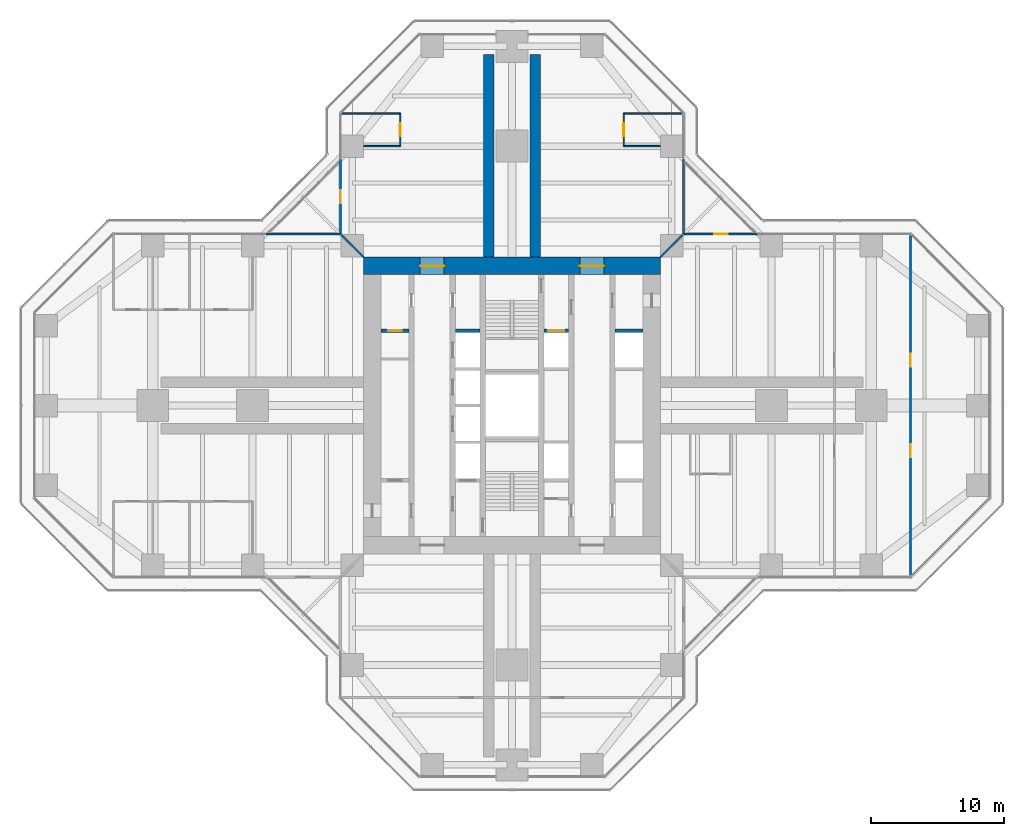
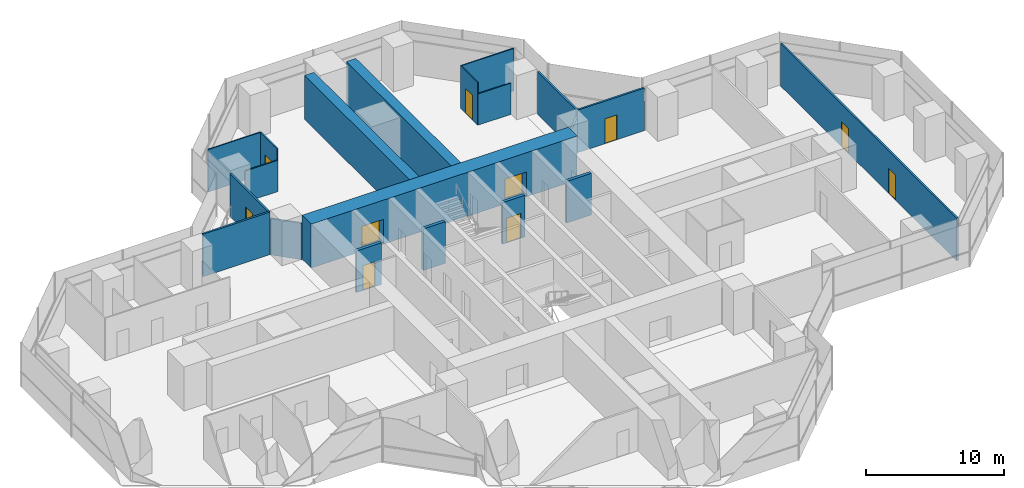
# One storey, part 17 of 20: 20 walls, 10 doors, 10 openings.
"""IFC4 building model written with IfcOpenShell, lengths in metres."""

from ifc_helpers import new_model, si_unit, direction, frame, frame_2d, origin, place, context, subcontext, project, spatial, rectangle, extrude, material, layer, layer_set, type_object, element, fill, save


model = new_model("IFC4")

# Units and contexts
model_context = context("Model", 3, precision=1e-05, world=origin(), true_north=direction((0.0, 1.0)))
body_context = subcontext(model_context, "Body", "Model", "MODEL_VIEW")
ifc_project = project(units=[si_unit("LENGTHUNIT", "METRE"), si_unit("AREAUNIT", "SQUARE_METRE"), si_unit("VOLUMEUNIT", "CUBIC_METRE"), si_unit("PLANEANGLEUNIT", "RADIAN"), si_unit("MASSUNIT", "GRAM", prefix="KILO")], contexts=[model_context])

# Site, building, storey
site_placement = place(None, origin())
site = spatial("IfcSite", under=ifc_project, at=site_placement, CompositionType="ELEMENT")
building_placement = place(site_placement, origin())
building = spatial("IfcBuilding", under=site, at=building_placement, Name="Mizan Broadcast Tower", CompositionType="ELEMENT")
storey_placement = place(building_placement, frame((0.0, 0.0, 178.800048828125)))
storey = spatial("IfcBuildingStorey", under=building, at=storey_placement, Name="L41", CompositionType="ELEMENT", Elevation=178.800048828125)

# Wall, openings, doors
ifc_material_1 = material(Name="Concrete C70/85", Category="concrete")
ifc_layer_1 = layer(ifc_material_1, 1.300048828125)
ifc_layer_set_1 = layer_set([ifc_layer_1], Name="Concrete C70/85")
wall_type_1 = type_object("IfcWallType", Name="CORE WALL 1300", PredefinedType="SHEAR", material=ifc_layer_set_1)
wall_1_placement = place(storey_placement, frame((-11.14990234375, 10.5, 0.0), z_axis=(0.0, 0.0, 1.0), x_axis=(1.0, 0.0, 0.0)))
wall_1 = element("IfcWall", 1, at=wall_1_placement, inside=storey, type_object=wall_type_1, Name="Core wall N L41", PredefinedType="SHEAR", context=body_context, shape_type="SweptSolid", body=[
    extrude(rectangle(XDim=22.2998046875, YDim=1.300048828125, at=frame_2d((11.14990234375, 0.0))), origin(), (0.0, 0.0, 1.0), 3.89990234375),
])
opening_1_placement = place(wall_1_placement, frame((4.25, 0.0, 0.0)))
opening_1 = element("IfcOpeningElement", 2, at=opening_1_placement, cuts=wall_1, Name="Opening D18F", PredefinedType="OPENING", context=body_context, shape_type="SweptSolid", body=[
    extrude(rectangle(XDim=1.800048828125, YDim=2.199951171875, at=frame_2d((0.89990234375, 1.10009765625))), frame((0.0, 0.659912109375, 0.0), z_axis=(0.0, -1.0, 0.0), x_axis=(1.0, 0.0, 0.0)), (0.0, 0.0, 1.0), 1.320068359375),
])
opening_2_placement = place(wall_1_placement, frame((16.25, 0.0, 0.0)))
opening_2 = element("IfcOpeningElement", 3, at=opening_2_placement, cuts=wall_1, Name="Opening D18F", PredefinedType="OPENING", context=body_context, shape_type="SweptSolid", body=[
    extrude(rectangle(XDim=1.800048828125, YDim=2.199951171875, at=frame_2d((0.89990234375, 1.10009765625))), frame((0.0, 0.659912109375, 0.0), z_axis=(0.0, -1.0, 0.0), x_axis=(1.0, 0.0, 0.0)), (0.0, 0.0, 1.0), 1.320068359375),
])
ifc_material_2 = material(Name="Steel door leaf in steel frame", Category="steel")
door_type_1 = type_object("IfcDoorType", Name="LOBBY DOUBLE DOOR 1800 FD90", OperationType="DOUBLE_DOOR_DOUBLE_SWING", PredefinedType="DOOR", material=ifc_material_2)
door_1_placement = place(opening_1_placement, origin())
door_1 = element("IfcDoor", 4, at=door_1_placement, inside=storey, type_object=door_type_1, Name="West lift lobby north door", OperationType="DOUBLE_DOOR_DOUBLE_SWING", OverallHeight=2.199951171875, OverallWidth=1.800048828125, PredefinedType="DOOR", context=body_context, shape_type="SweptSolid", body=[
    extrude(rectangle(XDim=1.800048828125, YDim=2.199951171875, at=frame_2d((0.89990234375, 1.10009765625))), frame((0.0, 0.02490234375, 0.0), z_axis=(0.0, -1.0, 0.0), x_axis=(1.0, 0.0, 0.0)), (0.0, 0.0, 1.0), 0.050048828125),
])
fill(opening_1, door_1)
door_2_placement = place(opening_2_placement, origin())
door_2 = element("IfcDoor", 5, at=door_2_placement, inside=storey, type_object=door_type_1, Name="East lift lobby north door", OperationType="DOUBLE_DOOR_DOUBLE_SWING", OverallHeight=2.199951171875, OverallWidth=1.800048828125, PredefinedType="DOOR", context=body_context, shape_type="SweptSolid", body=[
    extrude(rectangle(XDim=1.800048828125, YDim=2.199951171875, at=frame_2d((0.89990234375, 1.10009765625))), frame((0.0, 0.02490234375, 0.0), z_axis=(0.0, -1.0, 0.0), x_axis=(1.0, 0.0, 0.0)), (0.0, 0.0, 1.0), 0.050048828125),
])
fill(opening_2, door_2)

# Wall, opening, door
ifc_material_3 = material(Name="Aluminium framed glazed screen", Category="aluminium")
ifc_layer_2 = layer(ifc_material_3, 0.159912109375)
ifc_layer_set_2 = layer_set([ifc_layer_2], Name="Aluminium framed glazed screen")
wall_type_2 = type_object("IfcWallType", Name="GLAZED SCREEN WALL 160", PredefinedType="SOLIDWALL", material=ifc_layer_set_2)
wall_2_placement = place(storey_placement, frame((18.5, 12.89990234375, 0.0), z_axis=(0.0, 0.0, 1.0), x_axis=(-1.0, 0.0, 0.0)))
wall_2 = element("IfcWall", 6, at=wall_2_placement, inside=storey, type_object=wall_type_2, Name="Winter garden screen L41 E", PredefinedType="SOLIDWALL", context=body_context, shape_type="SweptSolid", body=[
    extrude(rectangle(XDim=5.60009765625, YDim=0.159912109375, at=frame_2d((2.800048828125, 0.0))), origin(), (0.0, 0.0, 1.0), 3.77001953125),
])
opening_3_placement = place(wall_2_placement, frame((2.300048828125, 0.0, 0.0)))
opening_3 = element("IfcOpeningElement", 7, at=opening_3_placement, cuts=wall_2, Name="Opening WGD", PredefinedType="OPENING", context=body_context, shape_type="SweptSolid", body=[
    extrude(rectangle(XDim=1.0, YDim=2.199951171875, at=frame_2d((0.5, 1.10009765625))), frame((0.0, 0.08984375, 0.0), z_axis=(0.0, -1.0, 0.0), x_axis=(1.0, 0.0, 0.0)), (0.0, 0.0, 1.0), 0.179931640625),
])
ifc_material_4 = material(Name="Aluminium framed glazed door", Category="aluminium")
door_type_2 = type_object("IfcDoorType", Name="WINTER GARDEN DOOR 1000 GLAZED", OperationType="SINGLE_SWING_LEFT", PredefinedType="DOOR", material=ifc_material_4)
door_3_placement = place(opening_3_placement, origin())
door_3 = element("IfcDoor", 8, at=door_3_placement, inside=storey, type_object=door_type_2, Name="Winter garden door L41 E", OperationType="SINGLE_SWING_RIGHT", OverallHeight=2.199951171875, OverallWidth=1.0, PredefinedType="DOOR", context=body_context, shape_type="SweptSolid", body=[
    extrude(rectangle(XDim=1.0, YDim=2.199951171875, at=frame_2d((0.5, 1.10009765625))), frame((0.0, 0.02490234375, 0.0), z_axis=(0.0, -1.0, 0.0), x_axis=(1.0, 0.0, 0.0)), (0.0, 0.0, 1.0), 0.050048828125),
])
fill(opening_3, door_3)

# Wall
wall_3_placement = place(storey_placement, frame((12.89990234375, 12.89990234375, 0.0), z_axis=(0.0, 0.0, 1.0), x_axis=(0.0, 1.0, 0.0)))
element("IfcWall", 9, at=wall_3_placement, inside=storey, type_object=wall_type_2, Name="Winter garden screen L41 N", PredefinedType="SOLIDWALL", context=body_context, shape_type="SweptSolid", body=[
    extrude(rectangle(XDim=5.60009765625, YDim=0.159912109375, at=frame_2d((2.800048828125, 0.0))), origin(), (0.0, 0.0, 1.0), 3.77001953125),
])

# Wall, opening, door
wall_4_placement = place(storey_placement, frame((-12.89990234375, 18.5, 0.0), z_axis=(0.0, 0.0, 1.0), x_axis=(0.0, -1.0, 0.0)))
wall_4 = element("IfcWall", 10, at=wall_4_placement, inside=storey, type_object=wall_type_2, Name="Winter garden screen L41 N", PredefinedType="SOLIDWALL", context=body_context, shape_type="SweptSolid", body=[
    extrude(rectangle(XDim=5.60009765625, YDim=0.159912109375, at=frame_2d((2.800048828125, 0.0))), origin(), (0.0, 0.0, 1.0), 3.77001953125),
])
opening_4_placement = place(wall_4_placement, frame((2.300048828125, 0.0, 0.0)))
opening_4 = element("IfcOpeningElement", 11, at=opening_4_placement, cuts=wall_4, Name="Opening WGD", PredefinedType="OPENING", context=body_context, shape_type="SweptSolid", body=[
    extrude(rectangle(XDim=1.0, YDim=2.199951171875, at=frame_2d((0.5, 1.10009765625))), frame((0.0, 0.08984375, 0.0), z_axis=(0.0, -1.0, 0.0), x_axis=(1.0, 0.0, 0.0)), (0.0, 0.0, 1.0), 0.179931640625),
])
door_4_placement = place(opening_4_placement, origin())
door_4 = element("IfcDoor", 12, at=door_4_placement, inside=storey, type_object=door_type_2, Name="Winter garden door L41 N", OperationType="SINGLE_SWING_RIGHT", OverallHeight=2.199951171875, OverallWidth=1.0, PredefinedType="DOOR", context=body_context, shape_type="SweptSolid", body=[
    extrude(rectangle(XDim=1.0, YDim=2.199951171875, at=frame_2d((0.5, 1.10009765625))), frame((0.0, 0.02490234375, 0.0), z_axis=(0.0, -1.0, 0.0), x_axis=(1.0, 0.0, 0.0)), (0.0, 0.0, 1.0), 0.050048828125),
])
fill(opening_4, door_4)

# Wall
wall_5_placement = place(storey_placement, frame((-12.89990234375, 12.89990234375, 0.0), z_axis=(0.0, 0.0, 1.0), x_axis=(-1.0, 0.0, 0.0)))
element("IfcWall", 13, at=wall_5_placement, inside=storey, type_object=wall_type_2, Name="Winter garden screen L41 W", PredefinedType="SOLIDWALL", context=body_context, shape_type="SweptSolid", body=[
    extrude(rectangle(XDim=5.60009765625, YDim=0.159912109375, at=frame_2d((2.800048828125, 0.0))), origin(), (0.0, 0.0, 1.0), 3.77001953125),
])

# Wall, opening, door
ifc_material_5 = material(Name="Concrete blockwork", Category="masonry")
ifc_layer_3 = layer(ifc_material_5, 0.25)
ifc_layer_set_3 = layer_set([ifc_layer_3], Name="Concrete blockwork")
wall_type_3 = type_object("IfcWallType", Name="LOBBY ENCLOSURE WALL 250", PredefinedType="SOLIDWALL", material=ifc_layer_set_3)
wall_6_placement = place(storey_placement, frame((-9.85009765625, 5.625, 0.0), z_axis=(0.0, 0.0, 1.0), x_axis=(1.0, 0.0, 0.0)))
wall_6 = element("IfcWall", 14, at=wall_6_placement, inside=storey, type_object=wall_type_3, Name="Lobby enclosure wall CORE/BW1N", PredefinedType="SOLIDWALL", context=body_context, shape_type="SweptSolid", body=[
    extrude(rectangle(XDim=2.10009765625, YDim=0.25, at=frame_2d((1.050048828125, 0.0))), origin(), (0.0, 0.0, 1.0), 3.699951171875),
])
opening_5_placement = place(wall_6_placement, frame((0.550048828125, 0.0, 0.0)))
opening_5 = element("IfcOpeningElement", 15, at=opening_5_placement, cuts=wall_6, Name="Opening D10F", PredefinedType="OPENING", context=body_context, shape_type="SweptSolid", body=[
    extrude(rectangle(XDim=1.0, YDim=2.199951171875, at=frame_2d((0.5, 1.10009765625))), frame((0.0, 0.135009765625, 0.0), z_axis=(0.0, -1.0, 0.0), x_axis=(1.0, 0.0, 0.0)), (0.0, 0.0, 1.0), 0.27001953125),
])
ifc_material_6 = material(Name="Steel door leaf in steel frame", Category="steel")
door_type_3 = type_object("IfcDoorType", Name="FIRE DOOR 1000 FD90", OperationType="SINGLE_SWING_LEFT", PredefinedType="DOOR", material=ifc_material_6)
door_5_placement = place(opening_5_placement, origin())
door_5 = element("IfcDoor", 16, at=door_5_placement, inside=storey, type_object=door_type_3, Name="Male staff shower room door", OperationType="SINGLE_SWING_RIGHT", OverallHeight=2.199951171875, OverallWidth=1.0, PredefinedType="DOOR", context=body_context, shape_type="SweptSolid", body=[
    extrude(rectangle(XDim=1.0, YDim=2.199951171875, at=frame_2d((0.5, 1.10009765625))), frame((0.0, 0.02490234375, 0.0), z_axis=(0.0, -1.0, 0.0), x_axis=(1.0, 0.0, 0.0)), (0.0, 0.0, 1.0), 0.050048828125),
])
fill(opening_5, door_5)

# Wall
wall_7_placement = place(storey_placement, frame((-4.25, 5.625, 0.0), z_axis=(0.0, 0.0, 1.0), x_axis=(1.0, 0.0, 0.0)))
element("IfcWall", 17, at=wall_7_placement, inside=storey, type_object=wall_type_3, Name="Lobby enclosure wall CORE/BW2N", PredefinedType="SOLIDWALL", context=body_context, shape_type="SweptSolid", body=[
    extrude(rectangle(XDim=1.85009765625, YDim=0.25, at=frame_2d((0.925048828125, 0.0))), origin(), (0.0, 0.0, 1.0), 3.699951171875),
])

# Wall, opening, door
wall_8_placement = place(storey_placement, frame((2.39990234375, 5.625, 0.0), z_axis=(0.0, 0.0, 1.0), x_axis=(1.0, 0.0, 0.0)))
wall_8 = element("IfcWall", 18, at=wall_8_placement, inside=storey, type_object=wall_type_3, Name="Lobby enclosure wall CORE/BE2N", PredefinedType="SOLIDWALL", context=body_context, shape_type="SweptSolid", body=[
    extrude(rectangle(XDim=1.85009765625, YDim=0.25, at=frame_2d((0.925048828125, 0.0))), origin(), (0.0, 0.0, 1.0), 3.699951171875),
])
opening_6_placement = place(wall_8_placement, frame((0.324951171875, 0.0, 0.0)))
opening_6 = element("IfcOpeningElement", 19, at=opening_6_placement, cuts=wall_8, Name="Opening LDF", PredefinedType="OPENING", context=body_context, shape_type="SweptSolid", body=[
    extrude(rectangle(XDim=1.199951171875, YDim=2.199951171875, at=frame_2d((0.60009765625, 1.10009765625))), frame((0.0, 0.135009765625, 0.0), z_axis=(0.0, -1.0, 0.0), x_axis=(1.0, 0.0, 0.0)), (0.0, 0.0, 1.0), 0.27001953125),
])
ifc_material_7 = material(Name="Steel door leaf in steel frame", Category="steel")
door_type_4 = type_object("IfcDoorType", Name="FIREFIGHTING LIFT LANDING DOOR 1200", OperationType="SLIDING_TO_LEFT", PredefinedType="DOOR", material=ifc_material_7)
door_6_placement = place(opening_6_placement, origin())
door_6 = element("IfcDoor", 20, at=door_6_placement, inside=storey, type_object=door_type_4, Name="Landing door FF2", OperationType="SLIDING_TO_LEFT", OverallHeight=2.199951171875, OverallWidth=1.199951171875, PredefinedType="DOOR", context=body_context, shape_type="SweptSolid", body=[
    extrude(rectangle(XDim=1.199951171875, YDim=2.199951171875, at=frame_2d((0.60009765625, 1.10009765625))), frame((0.0, 0.02490234375, 0.0), z_axis=(0.0, -1.0, 0.0), x_axis=(1.0, 0.0, 0.0)), (0.0, 0.0, 1.0), 0.050048828125),
])
fill(opening_6, door_6)

# Wall
wall_9_placement = place(storey_placement, frame((7.75, 5.625, 0.0), z_axis=(0.0, 0.0, 1.0), x_axis=(1.0, 0.0, 0.0)))
element("IfcWall", 21, at=wall_9_placement, inside=storey, type_object=wall_type_3, Name="Lobby enclosure wall CORE/BE1N", PredefinedType="SOLIDWALL", context=body_context, shape_type="SweptSolid", body=[
    extrude(rectangle(XDim=2.10009765625, YDim=0.25, at=frame_2d((1.050048828125, 0.0))), origin(), (0.0, 0.0, 1.0), 3.699951171875),
])

# Wall, openings, doors
ifc_material_8 = material(Name="Gypsum board on steel studs", Category="steel")
ifc_layer_4 = layer(ifc_material_8, 0.14990234375)
ifc_layer_set_4 = layer_set([ifc_layer_4], Name="Gypsum board on steel studs")
wall_type_4 = type_object("IfcWallType", Name="PARTITION 150", PredefinedType="PARTITIONING", material=ifc_layer_set_4)
wall_10_placement = place(storey_placement, frame((29.958984375, -12.786376953125, 0.0), z_axis=(0.0, 0.0, 1.0), x_axis=(0.0, 1.0, 0.0)))
wall_10 = element("IfcWall", 22, at=wall_10_placement, inside=storey, type_object=wall_type_4, Name="Partition PT/EX2", PredefinedType="PARTITIONING", context=body_context, shape_type="SweptSolid", body=[
    extrude(rectangle(XDim=25.57275390625, YDim=0.14990234375, at=frame_2d((12.786376953125, 0.0))), origin(), (0.0, 0.0, 1.0), 3.77001953125),
])
opening_7_placement = place(wall_10_placement, frame((15.6865234375, 0.0, 0.0)))
opening_7 = element("IfcOpeningElement", 23, at=opening_7_placement, cuts=wall_10, Name="Opening D10", PredefinedType="OPENING", context=body_context, shape_type="SweptSolid", body=[
    extrude(rectangle(XDim=1.0, YDim=2.199951171875, at=frame_2d((0.5, 1.10009765625))), frame((0.0, 0.0849609375, 0.0), z_axis=(0.0, -1.0, 0.0), x_axis=(1.0, 0.0, 0.0)), (0.0, 0.0, 1.0), 0.169921875),
])
opening_8_placement = place(wall_10_placement, frame((8.886474609375, 0.0, 0.0)))
opening_8 = element("IfcOpeningElement", 24, at=opening_8_placement, cuts=wall_10, Name="Opening D10", PredefinedType="OPENING", context=body_context, shape_type="SweptSolid", body=[
    extrude(rectangle(XDim=1.0, YDim=2.199951171875, at=frame_2d((0.5, 1.10009765625))), frame((0.0, 0.0849609375, 0.0), z_axis=(0.0, -1.0, 0.0), x_axis=(1.0, 0.0, 0.0)), (0.0, 0.0, 1.0), 0.169921875),
])
ifc_material_9 = material(Name="Timber door leaf in aluminium frame", Category="wood")
door_type_5 = type_object("IfcDoorType", Name="ROOM DOOR 1000", OperationType="SINGLE_SWING_LEFT", PredefinedType="DOOR", material=ifc_material_9)
door_7_placement = place(opening_7_placement, origin())
door_7 = element("IfcDoor", 25, at=door_7_placement, inside=storey, type_object=door_type_5, Name="Open office door", OperationType="SINGLE_SWING_RIGHT", OverallHeight=2.199951171875, OverallWidth=1.0, PredefinedType="DOOR", context=body_context, shape_type="SweptSolid", body=[
    extrude(rectangle(XDim=1.0, YDim=2.199951171875, at=frame_2d((0.5, 1.10009765625))), frame((0.0, 0.02490234375, 0.0), z_axis=(0.0, -1.0, 0.0), x_axis=(1.0, 0.0, 0.0)), (0.0, 0.0, 1.0), 0.050048828125),
])
fill(opening_7, door_7)
door_8_placement = place(opening_8_placement, origin())
door_8 = element("IfcDoor", 26, at=door_8_placement, inside=storey, type_object=door_type_5, Name="Open office door", OperationType="SINGLE_SWING_LEFT", OverallHeight=2.199951171875, OverallWidth=1.0, PredefinedType="DOOR", context=body_context, shape_type="SweptSolid", body=[
    extrude(rectangle(XDim=1.0, YDim=2.199951171875, at=frame_2d((0.5, 1.10009765625))), frame((0.0, 0.02490234375, 0.0), z_axis=(0.0, -1.0, 0.0), x_axis=(1.0, 0.0, 0.0)), (0.0, 0.0, 1.0), 0.050048828125),
])
fill(opening_8, door_8)

# Walls
for number, where, z_axis, x_axis, name in (
    (27, (11.14990234375, 11.14990234375, 0.0), (0.0, 0.0, 1.0), (0.707106781187, 0.707106781187, 0.0), "Partition PT/DGEN"),
    (28, (-11.14990234375, 11.14990234375, 0.0), (0.0, 0.0, 1.0), (-0.707106781187, 0.707106781187, 0.0), "Partition PT/DGWN"),
):
    element("IfcWall", number, at=place(storey_placement, frame(where, z_axis=z_axis, x_axis=x_axis)), inside=storey, type_object=wall_type_4, Name=name, PredefinedType="PARTITIONING", context=body_context, shape_type="SweptSolid", body=[
        extrude(rectangle(XDim=2.362060546875, YDim=0.14990234375, at=frame_2d((1.18115234375, 0.0))), origin(), (0.0, 0.0, 1.0), 3.219970703125),
    ])

# Wall, opening, door
ifc_material_10 = material(Name="Glazed aluminium partition on aluminium track", Category="aluminium")
ifc_layer_5 = layer(ifc_material_10, 0.10009765625)
ifc_layer_set_5 = layer_set([ifc_layer_5], Name="Glazed aluminium partition on aluminium track")
wall_type_5 = type_object("IfcWallType", Name="PARTITION GLAZED OFFICE FRONT 100", PredefinedType="PARTITIONING", material=ifc_layer_set_5)
wall_11_placement = place(storey_placement, frame((-8.39990234375, 19.5, 0.0), z_axis=(0.0, 0.0, 1.0), x_axis=(0.0, 1.0, 0.0)))
wall_11 = element("IfcWall", 29, at=wall_11_placement, inside=storey, type_object=wall_type_5, Name="Glazed office front PT/NCP0", PredefinedType="PARTITIONING", context=body_context, shape_type="SweptSolid", body=[
    extrude(rectangle(XDim=2.458984375, YDim=0.10009765625, at=frame_2d((1.2294921875, 0.0))), origin(), (0.0, 0.0, 1.0), 3.77001953125),
])
opening_9_placement = place(wall_11_placement, frame((0.7294921875, 0.0, 0.0)))
opening_9 = element("IfcOpeningElement", 30, at=opening_9_placement, cuts=wall_11, Name="Opening D10O", PredefinedType="OPENING", context=body_context, shape_type="SweptSolid", body=[
    extrude(rectangle(XDim=1.0, YDim=2.199951171875, at=frame_2d((0.5, 1.10009765625))), frame((0.0, 0.06005859375, 0.0), z_axis=(0.0, -1.0, 0.0), x_axis=(1.0, 0.0, 0.0)), (0.0, 0.0, 1.0), 0.1201171875),
])
ifc_material_11 = material(Name="Timber door leaf in aluminium frame", Category="wood")
door_type_6 = type_object("IfcDoorType", Name="OFFICE DOOR 1000 GLAZED", OperationType="SINGLE_SWING_LEFT", PredefinedType="DOOR", material=ifc_material_11)
door_9_placement = place(opening_9_placement, origin())
door_9 = element("IfcDoor", 31, at=door_9_placement, inside=storey, type_object=door_type_6, Name="Director's office door", OperationType="SINGLE_SWING_LEFT", OverallHeight=2.199951171875, OverallWidth=1.0, PredefinedType="DOOR", context=body_context, shape_type="SweptSolid", body=[
    extrude(rectangle(XDim=1.0, YDim=2.199951171875, at=frame_2d((0.5, 1.10009765625))), frame((0.0, 0.02490234375, 0.0), z_axis=(0.0, -1.0, 0.0), x_axis=(1.0, 0.0, 0.0)), (0.0, 0.0, 1.0), 0.050048828125),
])
fill(opening_9, door_9)

# Walls
wall_12_placement = place(storey_placement, frame((-8.39990234375, 19.5, 0.0), z_axis=(0.0, 0.0, 1.0), x_axis=(-1.0, 0.0, 0.0)))
element("IfcWall", 32, at=wall_12_placement, inside=storey, type_object=wall_type_5, Name="Glazed office front PT/NQP1950", PredefinedType="PARTITIONING", context=body_context, shape_type="SweptSolid", body=[
    extrude(rectangle(XDim=2.75, YDim=0.10009765625, at=frame_2d((1.375, 0.0))), origin(), (0.0, 0.0, 1.0), 2.77001953125),
])
wall_13_placement = place(storey_placement, frame((-8.39990234375, 21.958984375, 0.0), z_axis=(0.0, 0.0, 1.0), x_axis=(-1.0, 0.0, 0.0)))
element("IfcWall", 33, at=wall_13_placement, inside=storey, type_object=wall_type_5, Name="Glazed office front PT/NQP2196", PredefinedType="PARTITIONING", context=body_context, shape_type="SweptSolid", body=[
    extrude(rectangle(XDim=4.420166015625, YDim=0.10009765625, at=frame_2d((2.2099609375, 0.0))), origin(), (0.0, 0.0, 1.0), 3.77001953125),
])

# Wall, opening, door
wall_14_placement = place(storey_placement, frame((8.39990234375, 19.5, 0.0), z_axis=(0.0, 0.0, 1.0), x_axis=(0.0, 1.0, 0.0)))
wall_14 = element("IfcWall", 34, at=wall_14_placement, inside=storey, type_object=wall_type_5, Name="Glazed office front PT/NCN0", PredefinedType="PARTITIONING", context=body_context, shape_type="SweptSolid", body=[
    extrude(rectangle(XDim=2.458984375, YDim=0.10009765625, at=frame_2d((1.2294921875, 0.0))), origin(), (0.0, 0.0, 1.0), 3.77001953125),
])
opening_10_placement = place(wall_14_placement, frame((0.7294921875, 0.0, 0.0)))
opening_10 = element("IfcOpeningElement", 35, at=opening_10_placement, cuts=wall_14, Name="Opening D10O", PredefinedType="OPENING", context=body_context, shape_type="SweptSolid", body=[
    extrude(rectangle(XDim=1.0, YDim=2.199951171875, at=frame_2d((0.5, 1.10009765625))), frame((0.0, 0.06005859375, 0.0), z_axis=(0.0, -1.0, 0.0), x_axis=(1.0, 0.0, 0.0)), (0.0, 0.0, 1.0), 0.1201171875),
])
door_10_placement = place(opening_10_placement, origin())
door_10 = element("IfcDoor", 36, at=door_10_placement, inside=storey, type_object=door_type_6, Name="Quiet room door", OperationType="SINGLE_SWING_LEFT", OverallHeight=2.199951171875, OverallWidth=1.0, PredefinedType="DOOR", context=body_context, shape_type="SweptSolid", body=[
    extrude(rectangle(XDim=1.0, YDim=2.199951171875, at=frame_2d((0.5, 1.10009765625))), frame((0.0, 0.02490234375, 0.0), z_axis=(0.0, -1.0, 0.0), x_axis=(1.0, 0.0, 0.0)), (0.0, 0.0, 1.0), 0.050048828125),
])
fill(opening_10, door_10)

# Walls
wall_15_placement = place(storey_placement, frame((8.39990234375, 19.5, 0.0), z_axis=(0.0, 0.0, 1.0), x_axis=(1.0, 0.0, 0.0)))
element("IfcWall", 37, at=wall_15_placement, inside=storey, type_object=wall_type_5, Name="Glazed office front PT/NQN1950", PredefinedType="PARTITIONING", context=body_context, shape_type="SweptSolid", body=[
    extrude(rectangle(XDim=2.75, YDim=0.10009765625, at=frame_2d((1.375, 0.0))), origin(), (0.0, 0.0, 1.0), 2.77001953125),
])
wall_16_placement = place(storey_placement, frame((8.39990234375, 21.958984375, 0.0), z_axis=(0.0, 0.0, 1.0), x_axis=(1.0, 0.0, 0.0)))
element("IfcWall", 38, at=wall_16_placement, inside=storey, type_object=wall_type_5, Name="Glazed office front PT/NQN2196", PredefinedType="PARTITIONING", context=body_context, shape_type="SweptSolid", body=[
    extrude(rectangle(XDim=4.420166015625, YDim=0.10009765625, at=frame_2d((2.2099609375, 0.0))), origin(), (0.0, 0.0, 1.0), 3.77001953125),
])
ifc_material_12 = material(Name="Concrete C70/85", Category="concrete")
ifc_layer_6 = layer(ifc_material_12, 0.800048828125)
ifc_layer_set_6 = layer_set([ifc_layer_6], Name="Concrete C70/85")
wall_type_6 = type_object("IfcWallType", Name="SPINE WALL 800", PredefinedType="SHEAR", material=ifc_layer_set_6)
for number, where, z_axis, x_axis, name in (
    (39, (1.75, 11.14990234375, 0.0), (0.0, 0.0, 1.0), (0.0, 1.0, 0.0), "Spine wall NR L41"),
    (40, (-1.75, 11.14990234375, 0.0), (0.0, 0.0, 1.0), (0.0, 1.0, 0.0), "Spine wall NL L41"),
):
    element("IfcWall", number, at=place(storey_placement, frame(where, z_axis=z_axis, x_axis=x_axis)), inside=storey, type_object=wall_type_6, Name=name, PredefinedType="SHEAR", context=body_context, shape_type="SweptSolid", body=[
        extrude(rectangle(XDim=15.25, YDim=0.800048828125, at=frame_2d((7.625, 0.0))), origin(), (0.0, 0.0, 1.0), 3.89990234375),
    ])

save(model, "model.ifc")
